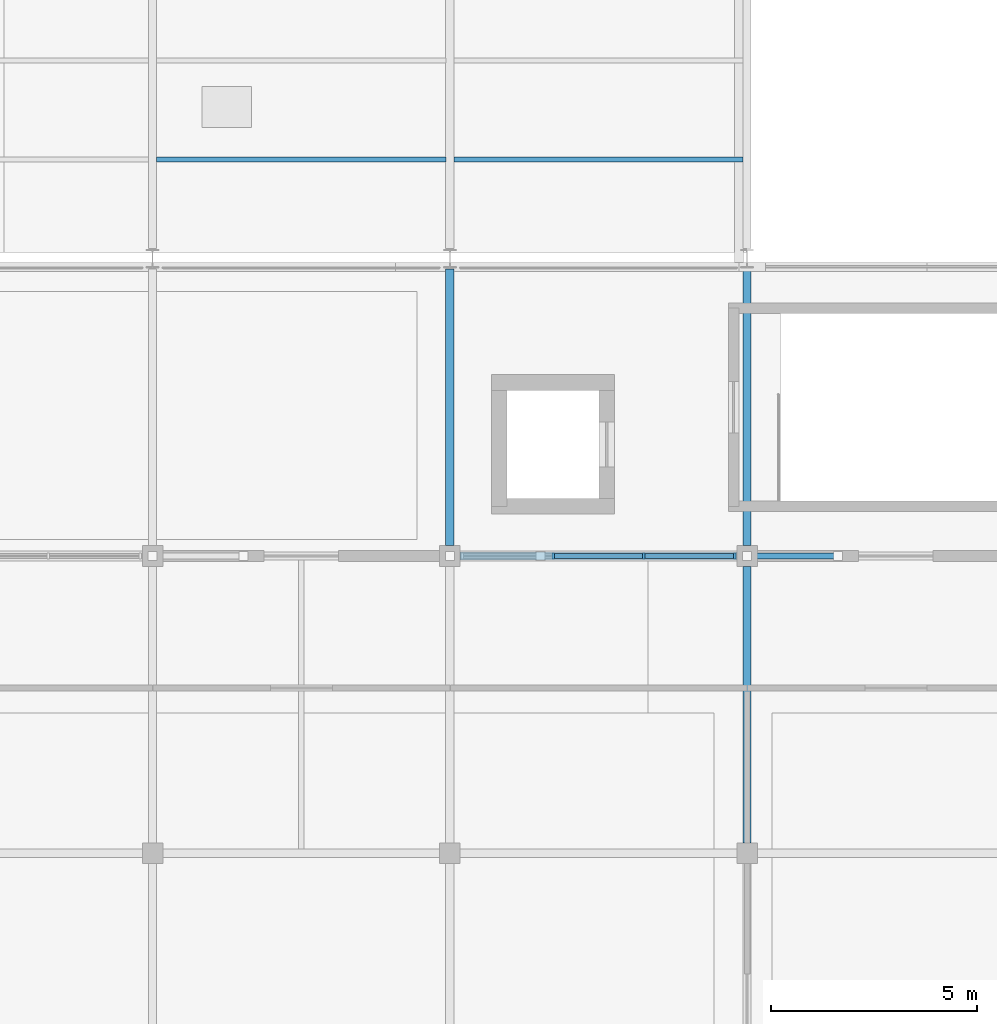
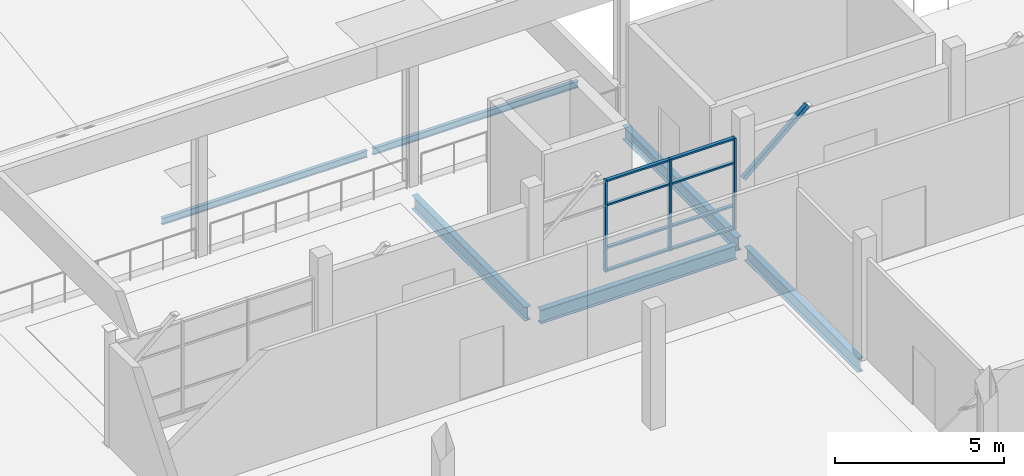
# One storey, part 8 of 32: 14 members, 4 beams, 1 element without a shape of its own.
"""IFC4 building model written with IfcOpenShell, lengths in metres."""

from ifc_helpers import new_model, si_unit, direction, frame, origin, origin_2d, place, context, subcontext, project, spatial, rectangle, hollow_rectangle, i_section, extrude, material, material_profile, profile_set, type_object, element, aggregate, save


model = new_model("IFC4")

# Units and contexts
model_context = context("Model", 3, precision=1e-05, world=origin(), true_north=direction((0.0, 1.0)))
body_context = subcontext(model_context, "Body", "Model", "MODEL_VIEW")
ifc_project = project(units=[si_unit("LENGTHUNIT", "METRE"), si_unit("AREAUNIT", "SQUARE_METRE"), si_unit("VOLUMEUNIT", "CUBIC_METRE"), si_unit("PLANEANGLEUNIT", "RADIAN"), si_unit("MASSUNIT", "GRAM", prefix="KILO")], contexts=[model_context])

# Site, building, storey
site_placement = place(None, origin())
site = spatial("IfcSite", under=ifc_project, at=site_placement, CompositionType="ELEMENT")
building_placement = place(site_placement, origin())
building = spatial("IfcBuilding", under=site, at=building_placement, Name="Sardonyx Promenade Sports Hall", CompositionType="ELEMENT")
storey_placement = place(building_placement, frame((0.0, 0.0, 20.39990234375)))
storey = spatial("IfcBuildingStorey", under=building, at=storey_placement, Name="L04", CompositionType="ELEMENT", Elevation=20.39990234375)

# Beams
ifc_material_1 = material(Name="Steel S355JR", Category="steel")
ifc_material_profile_1 = material_profile(ifc_material_1, i_section(OverallWidth=0.199951171875, OverallDepth=0.5, WebThickness=0.01025390625, FlangeThickness=0.01611328125, at=origin_2d()))
ifc_profile_set_1 = profile_set([ifc_material_profile_1], Name="Steel S355JR")
beam_type = type_object("IfcBeamType", Name="Bm_Primary_IPE500", PredefinedType="BEAM", material=ifc_profile_set_1)
for number, where, z_axis, x_axis, name in (
    (1, (21.85009765625, 21.60009765625, -0.52001953125), (1.0, 0.0, 0.0), (0.0, 1.0, 0.0), "Beam SB06 L04 #984"),
    (2, (21.60009765625, 21.85009765625, -0.510009765625), (0.0, 1.0, 0.0), (-1.0, 0.0, 0.0), "Beam SB06 L04 #1031"),
):
    element("IfcBeam", number, at=place(storey_placement, frame(where, z_axis=z_axis, x_axis=x_axis)), inside=storey, type_object=beam_type, Name=name, PredefinedType="BEAM", context=body_context, shape_type="SweptSolid", body=[
        extrude(i_section(OverallWidth=0.199951171875, OverallDepth=0.5, WebThickness=0.01025390625, FlangeThickness=0.01611328125, at=origin_2d()), origin(), (0.0, 0.0, 1.0), 6.699951171875),
    ])
beam_1_placement = place(storey_placement, frame((28.800048828125, 14.64990234375, -0.52001953125), z_axis=(0.0, 1.0, 0.0), x_axis=(-1.0, 0.0, 0.0)))
element("IfcBeam", 3, at=beam_1_placement, inside=storey, type_object=beam_type, Name="Beam SB06 L04 #1040", PredefinedType="BEAM", context=body_context, shape_type="SweptSolid", body=[
    extrude(i_section(OverallWidth=0.199951171875, OverallDepth=0.5, WebThickness=0.01025390625, FlangeThickness=0.01611328125, at=origin_2d()), origin(), (0.0, 0.0, 1.0), 6.7001953125),
])
beam_2_placement = place(storey_placement, frame((28.800048828125, 21.85009765625, -0.510009765625), z_axis=(0.0, 1.0, 0.0), x_axis=(-1.0, 0.0, 0.0)))
element("IfcBeam", 4, at=beam_2_placement, inside=storey, type_object=beam_type, Name="Beam SB06 L04 #1041", PredefinedType="BEAM", context=body_context, shape_type="SweptSolid", body=[
    extrude(i_section(OverallWidth=0.199951171875, OverallDepth=0.5, WebThickness=0.01025390625, FlangeThickness=0.01611328125, at=origin_2d()), origin(), (0.0, 0.0, 1.0), 6.699951171875),
])

# Curtain wall, members
ifc_material_2 = material(Name="Aluminium 6063-T6", Category="aluminium")
curtain_wall_type = type_object("IfcCurtainWallType", Name="CW_Pavilion_L04_640", PredefinedType="USERDEFINED", material=ifc_material_2)
curtain_wall_placement = place(storey_placement, origin())
curtain_wall = element("IfcCurtainWall", 5, at=curtain_wall_placement, inside=storey, type_object=curtain_wall_type, Name="Curtain wall CW10 cw:L04:169", ObjectType="CURTAIN WALL", PredefinedType="USERDEFINED")
ifc_material_3 = material(Name="Aluminium 6063-T6", Category="aluminium")
ifc_material_profile_2 = material_profile(ifc_material_3, rectangle(XDim=0.06005859375, YDim=0.14990234375, at=origin_2d()))
ifc_profile_set_2 = profile_set([ifc_material_profile_2], Name="Aluminium 6063-T6")
member_type_1 = type_object("IfcMemberType", Name="CW_Mull_150", PredefinedType="MULLION", material=ifc_profile_set_2)
member_1_placement = place(storey_placement, frame((24.10009765625, 21.60009765625, 0.300048828125), z_axis=(0.0, 0.0, 1.0), x_axis=(1.0, 0.0, 0.0)))
member_1 = element("IfcMember", 6, at=member_1_placement, type_object=member_type_1, Name="Mullion CM01 cw:L04:169 #2", PredefinedType="MULLION", context=body_context, shape_type="SweptSolid", body=[
    extrude(rectangle(XDim=0.06005859375, YDim=0.14990234375, at=origin_2d()), origin(), (0.0, 0.0, 1.0), 3.300048828125),
])
member_2_placement = place(storey_placement, frame((26.300048828125, 21.60009765625, 0.300048828125), z_axis=(0.0, 0.0, 1.0), x_axis=(1.0, 0.0, 0.0)))
member_2 = element("IfcMember", 7, at=member_2_placement, type_object=member_type_1, Name="Mullion CM01 cw:L04:169 #3", PredefinedType="MULLION", context=body_context, shape_type="SweptSolid", body=[
    extrude(rectangle(XDim=0.06005859375, YDim=0.14990234375, at=origin_2d()), origin(), (0.0, 0.0, 1.0), 3.300048828125),
])
member_3_placement = place(storey_placement, frame((28.5, 21.60009765625, 0.300048828125), z_axis=(0.0, 0.0, 1.0), x_axis=(1.0, 0.0, 0.0)))
member_3 = element("IfcMember", 8, at=member_3_placement, type_object=member_type_1, Name="Mullion CM01 cw:L04:169 #4", PredefinedType="MULLION", context=body_context, shape_type="SweptSolid", body=[
    extrude(rectangle(XDim=0.06005859375, YDim=0.14990234375, at=origin_2d()), origin(), (0.0, 0.0, 1.0), 3.300048828125),
])
ifc_material_4 = material(Name="Aluminium 6063-T6", Category="aluminium")
ifc_material_profile_3 = material_profile(ifc_material_4, rectangle(XDim=0.06005859375, YDim=0.1201171875, at=origin_2d()))
ifc_profile_set_3 = profile_set([ifc_material_profile_3], Name="Aluminium 6063-T6")
member_type_2 = type_object("IfcMemberType", Name="CW_Tran_120", PredefinedType="USERDEFINED", material=ifc_profile_set_3)
member_4_placement = place(storey_placement, frame((24.1298828125, 21.60009765625, 0.330078125), z_axis=(1.0, 0.0, 0.0), x_axis=(0.0, 0.0, 1.0)))
member_4 = element("IfcMember", 9, at=member_4_placement, type_object=member_type_2, Name="Transom CT01 cw:L04:169 #5", ObjectType="TRANSOM", PredefinedType="USERDEFINED", context=body_context, shape_type="SweptSolid", body=[
    extrude(rectangle(XDim=0.06005859375, YDim=0.1201171875, at=origin_2d()), origin(), (0.0, 0.0, 1.0), 2.14013671875),
])
member_5_placement = place(storey_placement, frame((24.1298828125, 21.60009765625, 1.150146484375), z_axis=(1.0, 0.0, 0.0), x_axis=(0.0, 0.0, 1.0)))
member_5 = element("IfcMember", 10, at=member_5_placement, type_object=member_type_2, Name="Transom CT01 cw:L04:169 #6", ObjectType="TRANSOM", PredefinedType="USERDEFINED", context=body_context, shape_type="SweptSolid", body=[
    extrude(rectangle(XDim=0.06005859375, YDim=0.1201171875, at=origin_2d()), origin(), (0.0, 0.0, 1.0), 2.14013671875),
])
member_6_placement = place(storey_placement, frame((24.1298828125, 21.60009765625, 2.7001953125), z_axis=(1.0, 0.0, 0.0), x_axis=(0.0, 0.0, 1.0)))
member_6 = element("IfcMember", 11, at=member_6_placement, type_object=member_type_2, Name="Transom CT01 cw:L04:169 #7", ObjectType="TRANSOM", PredefinedType="USERDEFINED", context=body_context, shape_type="SweptSolid", body=[
    extrude(rectangle(XDim=0.06005859375, YDim=0.1201171875, at=origin_2d()), origin(), (0.0, 0.0, 1.0), 2.14013671875),
])
member_7_placement = place(storey_placement, frame((24.1298828125, 21.60009765625, 3.570068359375), z_axis=(1.0, 0.0, 0.0), x_axis=(0.0, 0.0, 1.0)))
member_7 = element("IfcMember", 12, at=member_7_placement, type_object=member_type_2, Name="Transom CT01 cw:L04:169 #8", ObjectType="TRANSOM", PredefinedType="USERDEFINED", context=body_context, shape_type="SweptSolid", body=[
    extrude(rectangle(XDim=0.06005859375, YDim=0.1201171875, at=origin_2d()), origin(), (0.0, 0.0, 1.0), 2.14013671875),
])
member_8_placement = place(storey_placement, frame((26.330078125, 21.60009765625, 0.330078125), z_axis=(1.0, 0.0, 0.0), x_axis=(0.0, 0.0, 1.0)))
member_8 = element("IfcMember", 13, at=member_8_placement, type_object=member_type_2, Name="Transom CT01 cw:L04:169 #9", ObjectType="TRANSOM", PredefinedType="USERDEFINED", context=body_context, shape_type="SweptSolid", body=[
    extrude(rectangle(XDim=0.06005859375, YDim=0.1201171875, at=origin_2d()), origin(), (0.0, 0.0, 1.0), 2.139892578125),
])
member_9_placement = place(storey_placement, frame((26.330078125, 21.60009765625, 1.150146484375), z_axis=(1.0, 0.0, 0.0), x_axis=(0.0, 0.0, 1.0)))
member_9 = element("IfcMember", 14, at=member_9_placement, type_object=member_type_2, Name="Transom CT01 cw:L04:169 #10", ObjectType="TRANSOM", PredefinedType="USERDEFINED", context=body_context, shape_type="SweptSolid", body=[
    extrude(rectangle(XDim=0.06005859375, YDim=0.1201171875, at=origin_2d()), origin(), (0.0, 0.0, 1.0), 2.139892578125),
])
member_10_placement = place(storey_placement, frame((26.330078125, 21.60009765625, 2.7001953125), z_axis=(1.0, 0.0, 0.0), x_axis=(0.0, 0.0, 1.0)))
member_10 = element("IfcMember", 15, at=member_10_placement, type_object=member_type_2, Name="Transom CT01 cw:L04:169 #11", ObjectType="TRANSOM", PredefinedType="USERDEFINED", context=body_context, shape_type="SweptSolid", body=[
    extrude(rectangle(XDim=0.06005859375, YDim=0.1201171875, at=origin_2d()), origin(), (0.0, 0.0, 1.0), 2.139892578125),
])
member_11_placement = place(storey_placement, frame((26.330078125, 21.60009765625, 3.570068359375), z_axis=(1.0, 0.0, 0.0), x_axis=(0.0, 0.0, 1.0)))
member_11 = element("IfcMember", 16, at=member_11_placement, type_object=member_type_2, Name="Transom CT01 cw:L04:169 #12", ObjectType="TRANSOM", PredefinedType="USERDEFINED", context=body_context, shape_type="SweptSolid", body=[
    extrude(rectangle(XDim=0.06005859375, YDim=0.1201171875, at=origin_2d()), origin(), (0.0, 0.0, 1.0), 2.139892578125),
])
aggregate(curtain_wall, [member_1, member_2, member_3, member_4, member_5, member_6, member_7, member_8, member_9, member_10, member_11])

# Members
ifc_material_5 = material(Name="Steel S355JR", Category="steel")
ifc_material_profile_4 = material_profile(ifc_material_5, i_section(OverallWidth=0.1201171875, OverallDepth=0.239990234375, WebThickness=0.006103515625, FlangeThickness=0.009765625, at=origin_2d()))
ifc_profile_set_4 = profile_set([ifc_material_profile_4], Name="Steel S355JR")
member_type_3 = type_object("IfcMemberType", Name="Mbr_Purlin_IPE240", PredefinedType="PURLIN", material=ifc_profile_set_4)
for number, where, z_axis, x_axis, name in (
    (17, (14.498046875, 31.199951171875, -0.349853515625), (1.0, 0.0, 0.0), (0.0, 1.0, 0.0), "Roof purlin PR01 L04 #7"),
    (18, (21.697998046875, 31.199951171875, -0.349853515625), (1.0, 0.0, 0.0), (0.0, 1.0, 0.0), "Roof purlin PR01 L04 #11"),
):
    element("IfcMember", number, at=place(storey_placement, frame(where, z_axis=z_axis, x_axis=x_axis)), inside=storey, type_object=member_type_3, Name=name, PredefinedType="PURLIN", context=body_context, shape_type="SweptSolid", body=[
        extrude(i_section(OverallWidth=0.1201171875, OverallDepth=0.239990234375, WebThickness=0.006103515625, FlangeThickness=0.009765625, at=origin_2d()), origin(), (0.0, 0.0, 1.0), 7.00390625),
    ])
ifc_material_6 = material(Name="Steel S355JR", Category="steel")
ifc_material_profile_5 = material_profile(ifc_material_6, hollow_rectangle(XDim=0.14990234375, YDim=0.14990234375, WallThickness=0.008056640625, at=origin_2d()))
ifc_profile_set_5 = profile_set([ifc_material_profile_5], Name="Steel S355JR")
member_type_4 = type_object("IfcMemberType", Name="Mbr_Strut_SHS150", PredefinedType="STRUT", material=ifc_profile_set_5)
member_12_placement = place(storey_placement, frame((28.800048828125, 21.60009765625, 2.0), z_axis=(0.756790903627, 0.0, 0.653657041718), x_axis=(0.0, 1.0, 0.0)))
element("IfcMember", 19, at=member_12_placement, inside=storey, type_object=member_type_4, Name="Pavilion roof knee-brace strut #19", PredefinedType="STRUT", context=body_context, shape_type="SweptSolid", body=[
    extrude(hollow_rectangle(XDim=0.14990234375, YDim=0.14990234375, WallThickness=0.008056640625, at=origin_2d()), origin(), (0.0, 0.0, 1.0), 2.906982421875),
])

save(model, "model.ifc")
